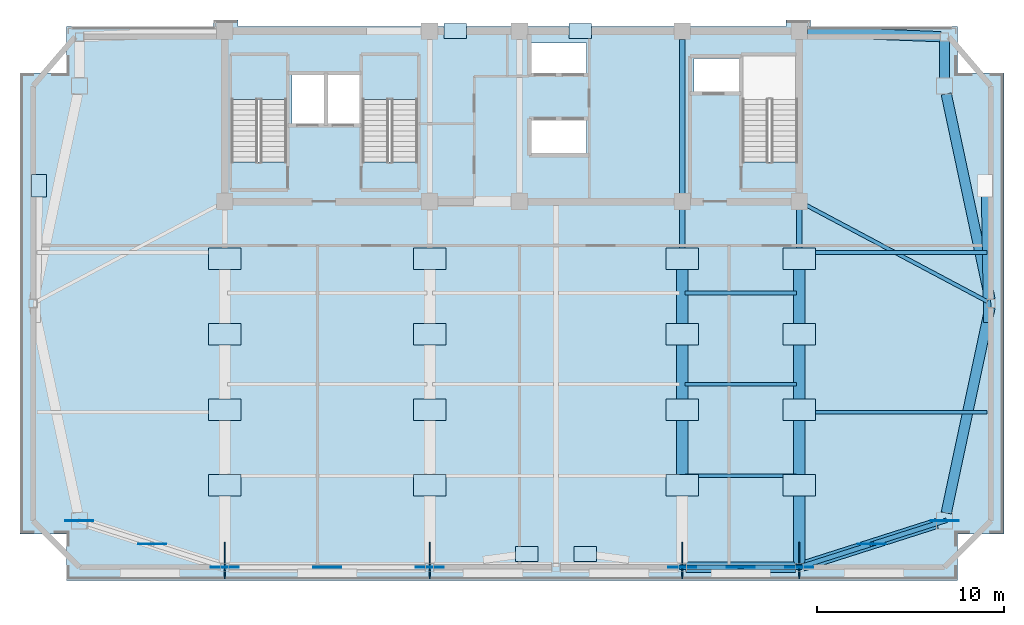
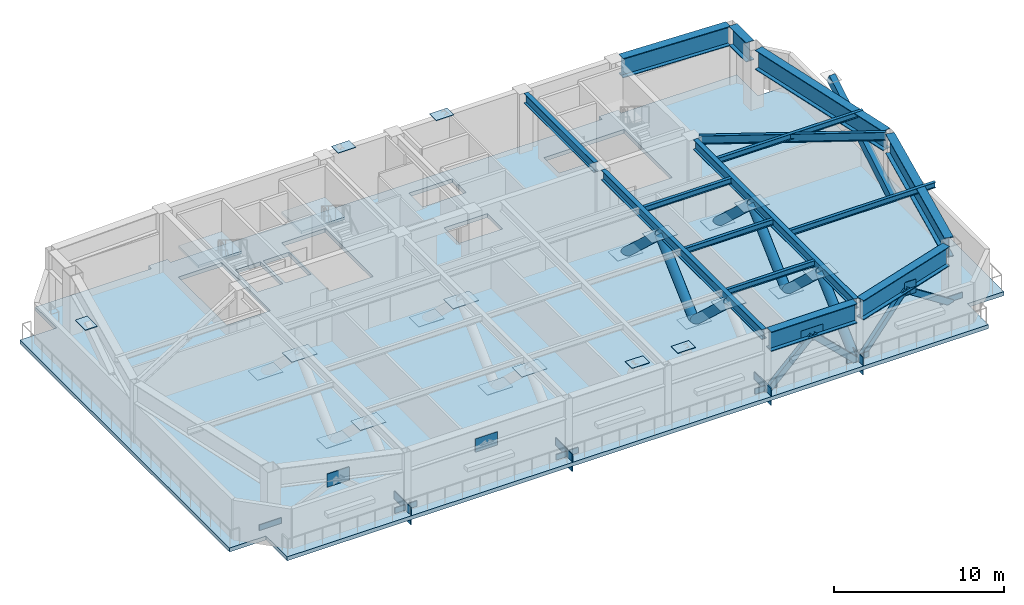
# One storey, part 2 of 8: 35 plates, 15 beams, 12 members, 3 slabs, 2 elements without a shape of their own.
"""IFC4 building model written with IfcOpenShell, lengths in metres."""

from ifc_helpers import new_model, si_unit, direction, frame, origin, origin_2d, place, context, subcontext, project, spatial, polyline, rectangle, hollow_rectangle, hollow_circle, i_section, outline, extrude, source, transform, mapped, material, layer, layer_set, material_profile, profile_set, type_object, element, aggregate, save


model = new_model("IFC4")

# Units and contexts
model_context = context("Model", 3, precision=1e-05, world=origin(), true_north=direction((0.0, 1.0)))
body_context = subcontext(model_context, "Body", "Model", "MODEL_VIEW")
ifc_project = project(units=[si_unit("LENGTHUNIT", "METRE"), si_unit("AREAUNIT", "SQUARE_METRE"), si_unit("VOLUMEUNIT", "CUBIC_METRE"), si_unit("PLANEANGLEUNIT", "RADIAN"), si_unit("MASSUNIT", "GRAM", prefix="KILO")], contexts=[model_context])

# Site, building, storey
site_placement = place(None, origin())
site = spatial("IfcSite", under=ifc_project, at=site_placement, CompositionType="ELEMENT")
building_placement = place(site_placement, origin())
building = spatial("IfcBuilding", under=site, at=building_placement, Name="Giltprow Tower", CompositionType="ELEMENT")
storey_placement = place(building_placement, frame((0.0, 0.0, 285.89990234375)))
storey = spatial("IfcBuildingStorey", under=building, at=storey_placement, Name="L73", CompositionType="ELEMENT", Elevation=285.89990234375)

# Beams
ifc_material_1 = material(Name="Structural steel Q355B", Category="steel")
ifc_material_profile_1 = material_profile(ifc_material_1, i_section(OverallWidth=0.199951171875, OverallDepth=0.39990234375, WebThickness=0.008056640625, FlangeThickness=0.012939453125, at=origin_2d()), Name="HN 400x200x8x13")
ifc_profile_set_1 = profile_set([ifc_material_profile_1], Name="Structural steel Q355B")
beam_type_1 = type_object("IfcBeamType", Name="BM-JOIST-HN400", PredefinedType="JOIST", material=ifc_profile_set_1)
shared_shape_1 = source(origin(), body_context, "Body", "SweptSolid", [
    extrude(i_section(OverallWidth=0.199951171875, OverallDepth=0.39990234375, WebThickness=0.008056640625, FlangeThickness=0.012939453125, at=origin_2d()), origin(), (0.0, 0.0, 1.0), 5.9599609375),
])
for number, where, z_axis, x_axis, name in (
    (1, (44.445068359375, 22.7939453125, 4.085205078125), (1.0, 0.0, 0.0), (0.0, 1.0, 0.0), "L73 Composite Floor Joist 1-4"),
    (2, (44.445068359375, 27.678955078125, 4.085205078125), (1.0, 0.0, 0.0), (0.0, 1.0, 0.0), "L73 Composite Floor Joist 2-4"),
    (3, (44.445068359375, 32.56494140625, 4.085205078125), (1.0, 0.0, 0.0), (0.0, 1.0, 0.0), "L73 Composite Floor Joist 3-4"),
):
    element("IfcBeam", number, at=place(storey_placement, frame(where, z_axis=z_axis, x_axis=x_axis)), inside=storey, type_object=beam_type_1, Name=name, PredefinedType="JOIST", context=body_context, shape_type="MappedRepresentation", body=[
        mapped(shared_shape_1, transform((0.0, 0.0, 0.0), x_axis=(1.0, 0.0, 0.0), y_axis=(0.0, 1.0, 0.0), z_axis=(0.0, 0.0, 1.0), scale=1.0)),
    ])
ifc_material_profile_2 = material_profile(ifc_material_1, i_section(OverallWidth=0.300048828125, OverallDepth=0.699951171875, WebThickness=0.012939453125, FlangeThickness=0.02392578125, at=origin_2d()), Name="HN 700x300x13x24")
ifc_profile_set_2 = profile_set([ifc_material_profile_2], Name="Structural steel Q355B")
beam_type_2 = type_object("IfcBeamType", Name="BM-GIRD-HN700", PredefinedType="BEAM", material=ifc_profile_set_2)
shared_shape_2 = source(origin(), body_context, "Body", "SweptSolid", [
    extrude(i_section(OverallWidth=0.300048828125, OverallDepth=0.699951171875, WebThickness=0.012939453125, FlangeThickness=0.02392578125, at=origin_2d()), origin(), (0.0, 0.0, 1.0), 8.22998046875),
])
beam_1_placement = place(storey_placement, frame((44.300048828125, 37.885009765625, 3.93505859375), z_axis=(0.0, 1.0, 0.0), x_axis=(-1.0, 0.0, 0.0)))
element("IfcBeam", 4, at=beam_1_placement, inside=storey, type_object=beam_type_2, Name="L73 Core Tie Girder M3", PredefinedType="BEAM", context=body_context, shape_type="MappedRepresentation", body=[
    mapped(shared_shape_2, transform((0.0, 0.0, 0.0), x_axis=(1.0, 0.0, 0.0), y_axis=(0.0, 1.0, 0.0), z_axis=(0.0, 0.0, 1.0), scale=1.0)),
])
shared_shape_3 = source(origin(), body_context, "Body", "SweptSolid", [
    extrude(i_section(OverallWidth=0.300048828125, OverallDepth=0.699951171875, WebThickness=0.012939453125, FlangeThickness=0.02392578125, at=origin_2d()), origin(), (0.0, 0.0, 1.0), 18.89697265625),
])
for number, where, z_axis, x_axis, name in (
    (5, (44.300048828125, 18.117919921875, 3.93505859375), (0.0, 1.0, 0.0), (-1.0, 0.0, 0.0), "L73 Primary Lease Girder S3"),
    (6, (50.550048828125, 18.117919921875, 3.93505859375), (0.0, 1.0, 0.0), (-1.0, 0.0, 0.0), "L73 Primary Lease Girder S4"),
):
    element("IfcBeam", number, at=place(storey_placement, frame(where, z_axis=z_axis, x_axis=x_axis)), inside=storey, type_object=beam_type_2, Name=name, PredefinedType="BEAM", context=body_context, shape_type="MappedRepresentation", body=[
        mapped(shared_shape_3, transform((0.0, 0.0, 0.0), x_axis=(1.0, 0.0, 0.0), y_axis=(0.0, 1.0, 0.0), z_axis=(0.0, 0.0, 1.0), scale=1.0)),
    ])
ifc_material_profile_3 = material_profile(ifc_material_1, i_section(OverallWidth=0.199951171875, OverallDepth=0.60009765625, WebThickness=0.010986328125, FlangeThickness=0.01708984375, at=origin_2d()), Name="HN 600x200x11x17")
ifc_profile_set_3 = profile_set([ifc_material_profile_3], Name="Structural steel Q355B")
beam_type_3 = type_object("IfcBeamType", Name="BM-GIRD-HN600", PredefinedType="BEAM", material=ifc_profile_set_3)
shared_shape_4 = source(origin(), body_context, "Body", "SweptSolid", [
    extrude(i_section(OverallWidth=0.199951171875, OverallDepth=0.60009765625, WebThickness=0.010986328125, FlangeThickness=0.01708984375, at=origin_2d()), origin(), (0.0, 0.0, 1.0), 10.954345703125),
])
beam_2_placement = place(storey_placement, frame((60.60595703125, 32.10302734375, 3.985107421875), z_axis=(-0.882930970852, 0.469502822899, 0.0), x_axis=(-0.469502822899, -0.882930970852, 0.0)))
element("IfcBeam", 7, at=beam_2_placement, inside=storey, type_object=beam_type_3, Name="L73 East Wing Primary Girder", PredefinedType="BEAM", context=body_context, shape_type="MappedRepresentation", body=[
    mapped(shared_shape_4, transform((0.0, 0.0, 0.0), x_axis=(1.0, 0.0, 0.0), y_axis=(0.0, 1.0, 0.0), z_axis=(0.0, 0.0, 1.0), scale=1.0)),
])
shared_shape_5 = source(origin(), body_context, "Body", "SweptSolid", [
    extrude(i_section(OverallWidth=0.199951171875, OverallDepth=0.39990234375, WebThickness=0.008056640625, FlangeThickness=0.012939453125, at=origin_2d()), origin(), (0.0, 0.0, 1.0), 9.8759765625),
])
for number, where, z_axis, x_axis, name in (
    (8, (50.695068359375, 26.194091796875, 4.085205078125), (1.0, 0.0, 0.0), (0.0, 1.0, 0.0), "L73 East Wing Floor Joist 1"),
    (9, (50.695068359375, 34.72705078125, 4.085205078125), (1.0, 0.0, 0.0), (0.0, 1.0, 0.0), "L73 East Wing Floor Joist 2"),
):
    element("IfcBeam", number, at=place(storey_placement, frame(where, z_axis=z_axis, x_axis=x_axis)), inside=storey, type_object=beam_type_1, Name=name, PredefinedType="JOIST", context=body_context, shape_type="MappedRepresentation", body=[
        mapped(shared_shape_5, transform((0.0, 0.0, 0.0), x_axis=(1.0, 0.0, 0.0), y_axis=(0.0, 1.0, 0.0), z_axis=(0.0, 0.0, 1.0), scale=1.0)),
    ])
ifc_material_2 = material(Name="Structural steel Q420GJC", Category="steel")
ifc_material_profile_4 = material_profile(ifc_material_2, i_section(OverallWidth=0.550048828125, OverallDepth=1.39990234375, WebThickness=0.031982421875, FlangeThickness=0.050048828125, at=origin_2d()), Name="WH 1400x550x32x50")
ifc_profile_set_4 = profile_set([ifc_material_profile_4], Name="Structural steel Q420GJC")
beam_type_4 = type_object("IfcBeamType", Name="BM-XFER-WH1400", PredefinedType="BEAM", material=ifc_profile_set_4)
shared_shape_6 = source(origin(), body_context, "Body", "SweptSolid", [
    extrude(i_section(OverallWidth=0.550048828125, OverallDepth=1.39990234375, WebThickness=0.031982421875, FlangeThickness=0.050048828125, at=origin_2d()), origin(), (0.0, 0.0, 1.0), 7.5048828125),
])
beam_3_placement = place(storey_placement, frame((50.75, 17.971923828125, 3.585205078125), z_axis=(0.952693085845, 0.303934012875, 0.0), x_axis=(-0.303934012875, 0.952693085845, 0.0)))
element("IfcBeam", 10, at=beam_3_placement, inside=storey, type_object=beam_type_4, Name="L73 Perimeter Spandrel Beam S4-MC_SE", PredefinedType="BEAM", context=body_context, shape_type="MappedRepresentation", body=[
    mapped(shared_shape_6, transform((0.0, 0.0, 0.0), x_axis=(1.0, 0.0, 0.0), y_axis=(0.0, 1.0, 0.0), z_axis=(0.0, 0.0, 1.0), scale=1.0)),
])
shared_shape_7 = source(origin(), body_context, "Body", "SweptSolid", [
    extrude(i_section(OverallWidth=0.550048828125, OverallDepth=1.39990234375, WebThickness=0.031982421875, FlangeThickness=0.050048828125, at=origin_2d()), origin(), (0.0, 0.0, 1.0), 5.830078125),
])
beam_4_placement = place(storey_placement, frame((44.510009765625, 17.907958984375, 3.585205078125), z_axis=(1.0, 0.0, 0.0), x_axis=(0.0, 1.0, 0.0)))
element("IfcBeam", 11, at=beam_4_placement, inside=storey, type_object=beam_type_4, Name="L73 Perimeter Spandrel Beam S3-S4", PredefinedType="BEAM", context=body_context, shape_type="MappedRepresentation", body=[
    mapped(shared_shape_7, transform((0.0, 0.0, 0.0), x_axis=(1.0, 0.0, 0.0), y_axis=(0.0, 1.0, 0.0), z_axis=(0.0, 0.0, 1.0), scale=1.0)),
])
shared_shape_8 = source(origin(), body_context, "Body", "SweptSolid", [
    extrude(i_section(OverallWidth=0.550048828125, OverallDepth=1.39990234375, WebThickness=0.031982421875, FlangeThickness=0.050048828125, at=origin_2d()), origin(), (0.0, 0.0, 1.0), 11.23583984375),
])
beam_5_placement = place(storey_placement, frame((58.405029296875, 20.81005859375, 3.585205078125), z_axis=(0.208444216546, 0.97803425737, 0.0), x_axis=(-0.97803425737, 0.208444216546, 0.0)))
element("IfcBeam", 12, at=beam_5_placement, inside=storey, type_object=beam_type_4, Name="L73 Perimeter Spandrel Beam MC_SE-E_MID", PredefinedType="BEAM", context=body_context, shape_type="MappedRepresentation", body=[
    mapped(shared_shape_8, transform((0.0, 0.0, 0.0), x_axis=(1.0, 0.0, 0.0), y_axis=(0.0, 1.0, 0.0), z_axis=(0.0, 0.0, 1.0), scale=1.0)),
])
shared_shape_9 = source(origin(), body_context, "Body", "SweptSolid", [
    extrude(i_section(OverallWidth=0.550048828125, OverallDepth=1.39990234375, WebThickness=0.031982421875, FlangeThickness=0.050048828125, at=origin_2d()), origin(), (0.0, 0.0, 1.0), 11.23486328125),
])
beam_6_placement = place(storey_placement, frame((60.7470703125, 32.208984375, 3.585205078125), z_axis=(-0.208461937022, 0.978030480513, 0.0), x_axis=(-0.978030480513, -0.208461937022, 0.0)))
element("IfcBeam", 13, at=beam_6_placement, inside=storey, type_object=beam_type_4, Name="L73 Perimeter Spandrel Beam E_MID-MC_NE", PredefinedType="BEAM", context=body_context, shape_type="MappedRepresentation", body=[
    mapped(shared_shape_9, transform((0.0, 0.0, 0.0), x_axis=(1.0, 0.0, 0.0), y_axis=(0.0, 1.0, 0.0), z_axis=(0.0, 0.0, 1.0), scale=1.0)),
])
shared_shape_10 = source(origin(), body_context, "Body", "SweptSolid", [
    extrude(i_section(OverallWidth=0.550048828125, OverallDepth=1.39990234375, WebThickness=0.031982421875, FlangeThickness=0.050048828125, at=origin_2d()), origin(), (0.0, 0.0, 1.0), 1.983154296875),
])
beam_7_placement = place(storey_placement, frame((58.31396484375, 44.056884765625, 3.585205078125), z_axis=(0.0, 1.0, 0.0), x_axis=(-1.0, 0.0, 0.0)))
element("IfcBeam", 14, at=beam_7_placement, inside=storey, type_object=beam_type_4, Name="L73 Perimeter Spandrel Beam MC_NE-N_E", PredefinedType="BEAM", context=body_context, shape_type="MappedRepresentation", body=[
    mapped(shared_shape_10, transform((0.0, 0.0, 0.0), x_axis=(1.0, 0.0, 0.0), y_axis=(0.0, 1.0, 0.0), z_axis=(0.0, 0.0, 1.0), scale=1.0)),
])
shared_shape_11 = source(origin(), body_context, "Body", "SweptSolid", [
    extrude(i_section(OverallWidth=0.550048828125, OverallDepth=1.39990234375, WebThickness=0.031982421875, FlangeThickness=0.050048828125, at=origin_2d()), origin(), (0.0, 0.0, 1.0), 7.124267578125),
])
beam_8_placement = place(storey_placement, frame((50.985107421875, 46.532958984375, 3.585205078125), z_axis=(0.999255240323, -0.038587105203, 0.0), x_axis=(0.038587105203, 0.999255240323, 0.0)))
element("IfcBeam", 15, at=beam_8_placement, inside=storey, type_object=beam_type_4, Name="L73 North Wing Spandrel E", PredefinedType="BEAM", context=body_context, shape_type="MappedRepresentation", body=[
    mapped(shared_shape_11, transform((0.0, 0.0, 0.0), x_axis=(1.0, 0.0, 0.0), y_axis=(0.0, 1.0, 0.0), z_axis=(0.0, 0.0, 1.0), scale=1.0)),
])

# Members
ifc_material_profile_5 = material_profile(ifc_material_2, hollow_circle(Radius=0.304931640625, WallThickness=0.028076171875, at=origin_2d()), Name="CHS 610x28")
ifc_profile_set_5 = profile_set([ifc_material_profile_5], Name="Structural steel Q420GJC")
member_type_1 = type_object("IfcMemberType", Name="MBR-OUTR-CHS610", PredefinedType="BRACE", material=ifc_profile_set_5)
shared_shape_12 = source(origin(), body_context, "Body", "SweptSolid", [
    extrude(hollow_circle(Radius=0.304931640625, WallThickness=0.028076171875, at=origin_2d()), origin(), (0.0, 0.0, 1.0), 5.5048828125),
])
for number, where, z_axis, x_axis, name in (
    (16, (44.300048828125, 26.3291015625, -0.079833984375), (0.0, 0.732959323738, 0.680272467285), (-1.0, 0.0, 0.0), "L73 Outrigger Truss Diagonal S3-3"),
    (17, (50.550048828125, 18.258056640625, -0.079833984375), (0.0, 0.732959323738, 0.680272467285), (-1.0, 0.0, 0.0), "L73 Outrigger Truss Diagonal S4-1"),
    (18, (50.550048828125, 26.3291015625, -0.079833984375), (0.0, 0.732959323738, 0.680272467285), (-1.0, 0.0, 0.0), "L73 Outrigger Truss Diagonal S4-3"),
):
    element("IfcMember", number, at=place(storey_placement, frame(where, z_axis=z_axis, x_axis=x_axis)), inside=storey, type_object=member_type_1, Name=name, PredefinedType="BRACE", context=body_context, shape_type="MappedRepresentation", body=[
        mapped(shared_shape_12, transform((0.0, 0.0, 0.0), x_axis=(1.0, 0.0, 0.0), y_axis=(0.0, 1.0, 0.0), z_axis=(0.0, 0.0, 1.0), scale=1.0)),
    ])
shared_shape_13 = source(origin(), body_context, "Body", "SweptSolid", [
    extrude(hollow_circle(Radius=0.304931640625, WallThickness=0.028076171875, at=origin_2d()), origin(), (0.0, 0.0, 1.0), 5.505859375),
])
for number, where, z_axis, x_axis, name in (
    (19, (44.300048828125, 22.29296875, 3.6650390625), (0.0, 0.733061916274, -0.680161912275), (-1.0, 0.0, 0.0), "L73 Outrigger Truss Diagonal S3-2"),
    (20, (50.550048828125, 22.29296875, 3.6650390625), (0.0, 0.733061916274, -0.680161912275), (-1.0, 0.0, 0.0), "L73 Outrigger Truss Diagonal S4-2"),
):
    element("IfcMember", number, at=place(storey_placement, frame(where, z_axis=z_axis, x_axis=x_axis)), inside=storey, type_object=member_type_1, Name=name, PredefinedType="BRACE", context=body_context, shape_type="MappedRepresentation", body=[
        mapped(shared_shape_13, transform((0.0, 0.0, 0.0), x_axis=(1.0, 0.0, 0.0), y_axis=(0.0, 1.0, 0.0), z_axis=(0.0, 0.0, 1.0), scale=1.0)),
    ])
shared_shape_14 = source(origin(), body_context, "Body", "SweptSolid", [
    extrude(hollow_circle(Radius=0.304931640625, WallThickness=0.028076171875, at=origin_2d()), origin(), (0.0, 0.0, 1.0), 5.505615234375),
])
for number, where, z_axis, x_axis, name in (
    (21, (44.300048828125, 30.364013671875, 3.6650390625), (0.0, 0.733041401768, -0.68018402164), (-1.0, 0.0, 0.0), "L73 Outrigger Truss Diagonal S3-4"),
    (22, (50.550048828125, 30.364013671875, 3.6650390625), (0.0, 0.733041401768, -0.68018402164), (-1.0, 0.0, 0.0), "L73 Outrigger Truss Diagonal S4-4"),
):
    element("IfcMember", number, at=place(storey_placement, frame(where, z_axis=z_axis, x_axis=x_axis)), inside=storey, type_object=member_type_1, Name=name, PredefinedType="BRACE", context=body_context, shape_type="MappedRepresentation", body=[
        mapped(shared_shape_14, transform((0.0, 0.0, 0.0), x_axis=(1.0, 0.0, 0.0), y_axis=(0.0, 1.0, 0.0), z_axis=(0.0, 0.0, 1.0), scale=1.0)),
    ])
ifc_material_profile_6 = material_profile(ifc_material_2, hollow_rectangle(XDim=0.25, YDim=0.39990234375, WallThickness=0.01806640625, at=origin_2d()), Name="RHS 400x250x18")
ifc_profile_set_6 = profile_set([ifc_material_profile_6], Name="Structural steel Q420GJC")
member_type_2 = type_object("IfcMemberType", Name="MBR-BELT-RHS400", PredefinedType="CHORD", material=ifc_profile_set_6)
shared_shape_15 = source(origin(), body_context, "Body", "SweptSolid", [
    extrude(hollow_rectangle(XDim=0.25, YDim=0.39990234375, WallThickness=0.01806640625, at=origin_2d()), origin(), (0.0, 0.0, 1.0), 5.086669921875),
])
for number, where, z_axis, x_axis, name in (
    (23, (50.550048828125, 17.907958984375, -0.079833984375), (0.763122086795, 0.243575131477, 0.598594884686), (-0.304069097332, 0.952649979818, 0.0), "L73 Belt-Truss Diagonal 4-1"),
    (24, (58.31396484375, 20.385009765625, -0.079833984375), (-0.763177802202, -0.243385613167, 0.598600940134), (0.303834226849, -0.95272491444, 0.0), "L73 Belt-Truss Diagonal 4-2"),
):
    element("IfcMember", number, at=place(storey_placement, frame(where, z_axis=z_axis, x_axis=x_axis)), inside=storey, type_object=member_type_2, Name=name, PredefinedType="CHORD", context=body_context, shape_type="MappedRepresentation", body=[
        mapped(shared_shape_15, transform((0.0, 0.0, 0.0), x_axis=(1.0, 0.0, 0.0), y_axis=(0.0, 1.0, 0.0), z_axis=(0.0, 0.0, 1.0), scale=1.0)),
    ])
shared_shape_16 = source(origin(), body_context, "Body", "SweptSolid", [
    extrude(hollow_rectangle(XDim=0.25, YDim=0.39990234375, WallThickness=0.01806640625, at=origin_2d()), origin(), (0.0, 0.0, 1.0), 4.36328125),
])
for number, where, z_axis, x_axis, name in (
    (25, (44.300048828125, 17.907958984375, -0.079833984375), (0.716223851083, 0.0, 0.697870614899), (0.0, 1.0, 0.0), "L73 Belt-Truss Diagonal 3-1"),
    (26, (50.550048828125, 17.907958984375, -0.079833984375), (-0.716223851083, 0.0, 0.697870614899), (0.0, -1.0, 0.0), "L73 Belt-Truss Diagonal 3-2"),
):
    element("IfcMember", number, at=place(storey_placement, frame(where, z_axis=z_axis, x_axis=x_axis)), inside=storey, type_object=member_type_2, Name=name, PredefinedType="CHORD", context=body_context, shape_type="MappedRepresentation", body=[
        mapped(shared_shape_16, transform((0.0, 0.0, 0.0), x_axis=(1.0, 0.0, 0.0), y_axis=(0.0, 1.0, 0.0), z_axis=(0.0, 0.0, 1.0), scale=1.0)),
    ])
ifc_material_profile_7 = material_profile(ifc_material_2, hollow_rectangle(XDim=0.39990234375, YDim=0.60009765625, WallThickness=0.028076171875, at=origin_2d()), Name="RHS 600x400x28")
ifc_profile_set_7 = profile_set([ifc_material_profile_7], Name="Structural steel Q420GJC")
member_type_3 = type_object("IfcMemberType", Name="MBR-MEGA-RHS600", PredefinedType="BRACE", material=ifc_profile_set_7)
shared_shape_17 = source(origin(), body_context, "Body", "SweptSolid", [
    extrude(hollow_rectangle(XDim=0.39990234375, YDim=0.60009765625, WallThickness=0.028076171875, at=origin_2d()), origin(), (0.0, 0.0, 1.0), 8.430419921875),
])
member_placement = place(storey_placement, frame((60.59912109375, 31.156005859375, 0.0), z_axis=(-0.015087724257, 0.845491741642, 0.533775304218), x_axis=(-0.999840817605, -0.017842069666, 0.0)))
element("IfcMember", 27, at=member_placement, inside=storey, type_object=member_type_3, Name="L73 Chevron Mega-Brace E-D", PredefinedType="BRACE", context=body_context, shape_type="MappedRepresentation", body=[
    mapped(shared_shape_17, transform((0.0, 0.0, 0.0), x_axis=(1.0, 0.0, 0.0), y_axis=(0.0, 1.0, 0.0), z_axis=(0.0, 0.0, 1.0), scale=1.0)),
])

# Slab
ifc_material_3 = material(Name="Concrete C40", Category="concrete")
ifc_layer_1 = layer(ifc_material_3, 0.280029296875, Name="Concrete C40")
ifc_layer_set_1 = layer_set([ifc_layer_1], Name="Concrete C40")
slab_type_1 = type_object("IfcSlabType", Name="SLB-REF-280", PredefinedType="FLOOR", material=ifc_layer_set_1)
slab_1_placement = place(storey_placement, frame((0.0, 0.0, -0.27978515625)))
element("IfcSlab", 28, at=slab_1_placement, inside=storey, type_object=slab_type_1, Name="L73 Structural Composite Floor Slab", PredefinedType="FLOOR", context=body_context, shape_type="SweptSolid", body=[
    extrude(outline(polyline([(61.490966796875, 44.322021484375), (61.490966796875, 19.68505859375), (59.013916015625, 19.68505859375), (59.013916015625, 17.2080078125), (11.385986328125, 17.2080078125), (11.385986328125, 19.68505859375), (8.908935546875, 19.68505859375), (8.908935546875, 44.322021484375), (11.385986328125, 44.322021484375), (11.385986328125, 46.799072265625), (19.25, 46.799072265625), (19.25, 47.14990234375), (20.550048828125, 47.14990234375), (20.550048828125, 46.799072265625), (49.85009765625, 46.799072265625), (49.85009765625, 47.14990234375), (51.14990234375, 47.14990234375), (51.14990234375, 46.799072265625), (59.013916015625, 46.799072265625), (59.013916015625, 44.322021484375), (61.490966796875, 44.322021484375)]), holes=[polyline([(39.18994140625, 41.800048828125), (36.239990234375, 41.800048828125), (36.239990234375, 40.0), (39.18994140625, 40.0), (39.18994140625, 41.800048828125)]), polyline([(23.159912109375, 45.25), (20.199951171875, 45.25), (20.199951171875, 39.570068359375), (23.159912109375, 39.570068359375), (23.159912109375, 45.25)]), polyline([(30.159912109375, 45.25), (27.199951171875, 45.25), (27.199951171875, 39.570068359375), (30.159912109375, 39.570068359375), (30.159912109375, 45.25)]), polyline([(50.4599609375, 45.25), (47.5, 45.25), (47.5, 39.570068359375), (50.4599609375, 39.570068359375), (50.4599609375, 45.25)]), polyline([(25.169921875, 44.199951171875), (23.449951171875, 44.199951171875), (23.449951171875, 41.60009765625), (25.169921875, 41.60009765625), (25.169921875, 44.199951171875)]), polyline([(27.10009765625, 44.199951171875), (25.35009765625, 44.199951171875), (25.35009765625, 41.60009765625), (27.10009765625, 41.60009765625), (27.10009765625, 44.199951171875)]), polyline([(47.3798828125, 45.10009765625), (44.919921875, 45.10009765625), (44.919921875, 43.300048828125), (47.3798828125, 43.300048828125), (47.3798828125, 45.10009765625)]), polyline([(39.18994140625, 45.919921875), (36.239990234375, 45.919921875), (36.239990234375, 44.300048828125), (39.18994140625, 44.300048828125), (39.18994140625, 45.919921875)])]), origin(), (0.0, 0.0, 1.0), 0.27978515625),
])

# Stair, slab
stair_type_1 = type_object("IfcStairType", Name="STR-ST-1", PredefinedType="HALF_TURN_STAIR", material=ifc_material_3)
stair_1_placement = place(storey_placement, origin())
stair_1 = element("IfcStair", 29, at=stair_1_placement, inside=storey, type_object=stair_type_1, Name="L73 Core Exit Stair ST-1", PredefinedType="HALF_TURN_STAIR")
ifc_layer_2 = layer(ifc_material_3, 0.179931640625, Name="Concrete C40")
ifc_layer_set_2 = layer_set([ifc_layer_2], Name="Concrete C40")
slab_type_2 = type_object("IfcSlabType", Name="SLD-ST-1", PredefinedType="LANDING", material=ifc_layer_set_2)
slab_2_placement = place(storey_placement, frame((0.0, 0.0, 2.070068359375)))
slab_2 = element("IfcSlab", 30, at=slab_2_placement, type_object=slab_type_2, Name="ST-1 landing 1", PredefinedType="LANDING", context=body_context, shape_type="SweptSolid", body=[
    extrude(outline(polyline([(23.159912109375, 42.909912109375), (23.159912109375, 45.25), (20.199951171875, 45.25), (20.199951171875, 42.909912109375), (23.159912109375, 42.909912109375)])), origin(), (0.0, 0.0, 1.0), 0.179931640625),
])
aggregate(stair_1, [slab_2])

stair_type_2 = type_object("IfcStairType", Name="STR-ST-2", PredefinedType="HALF_TURN_STAIR", material=ifc_material_3)
stair_2_placement = place(storey_placement, origin())
stair_2 = element("IfcStair", 31, at=stair_2_placement, inside=storey, type_object=stair_type_2, Name="L73 Core Exit Stair ST-2", PredefinedType="HALF_TURN_STAIR")
ifc_layer_3 = layer(ifc_material_3, 0.18798828125, Name="Concrete C40")
ifc_layer_set_3 = layer_set([ifc_layer_3], Name="Concrete C40")
slab_type_3 = type_object("IfcSlabType", Name="SLD-ST-2", PredefinedType="LANDING", material=ifc_layer_set_3)
slab_3_placement = place(storey_placement, frame((0.0, 0.0, 2.06201171875)))
slab_3 = element("IfcSlab", 32, at=slab_3_placement, type_object=slab_type_3, Name="ST-2 landing 1", PredefinedType="LANDING", context=body_context, shape_type="SweptSolid", body=[
    extrude(outline(polyline([(30.159912109375, 42.909912109375), (30.159912109375, 45.25), (27.199951171875, 45.25), (27.199951171875, 42.909912109375), (30.159912109375, 42.909912109375)])), origin(), (0.0, 0.0, 1.0), 0.18798828125),
])
aggregate(stair_2, [slab_3])

# Plates
plate_type_1 = type_object("IfcPlateType", Name="PLT-CAP-SEAL-INT", PredefinedType="USERDEFINED", material=ifc_material_2)
shared_shape_18 = source(origin(), body_context, "Body", "SweptSolid", [
    extrude(rectangle(XDim=1.75, YDim=1.14990234375, at=origin_2d()), origin(), (0.0, 0.0, 1.0), 0.0400390625),
])
for number, where, z_axis, x_axis, name in (
    (33, (19.85009765625, 22.29296875, 3.64501953125), (0.0, 0.0, 1.0), (1.0, 0.0, 0.0), "Outrigger Seal Plate L73-S1-1B"),
    (34, (19.85009765625, 26.3291015625, -0.099853515625), (0.0, 0.0, 1.0), (1.0, 0.0, 0.0), "Outrigger Seal Plate L73-S1-2B"),
    (35, (19.85009765625, 30.364013671875, 3.64501953125), (0.0, 0.0, 1.0), (1.0, 0.0, 0.0), "Outrigger Seal Plate L73-S1-3B"),
    (36, (19.85009765625, 34.39990234375, -0.099853515625), (0.0, 0.0, 1.0), (1.0, 0.0, 0.0), "Outrigger Seal Plate L73-S1-4B"),
    (37, (30.800048828125, 22.29296875, 3.64501953125), (0.0, 0.0, 1.0), (1.0, 0.0, 0.0), "Outrigger Seal Plate L73-S2-1B"),
    (38, (30.800048828125, 26.3291015625, -0.099853515625), (0.0, 0.0, 1.0), (1.0, 0.0, 0.0), "Outrigger Seal Plate L73-S2-2B"),
    (39, (30.800048828125, 30.364013671875, 3.64501953125), (0.0, 0.0, 1.0), (1.0, 0.0, 0.0), "Outrigger Seal Plate L73-S2-3B"),
    (40, (30.800048828125, 34.39990234375, -0.099853515625), (0.0, 0.0, 1.0), (1.0, 0.0, 0.0), "Outrigger Seal Plate L73-S2-4B"),
    (41, (44.300048828125, 22.29296875, 3.64501953125), (0.0, 0.0, 1.0), (1.0, 0.0, 0.0), "Outrigger Seal Plate L73-S3-1B"),
    (42, (44.300048828125, 26.3291015625, -0.099853515625), (0.0, 0.0, 1.0), (1.0, 0.0, 0.0), "Outrigger Seal Plate L73-S3-2B"),
    (43, (44.300048828125, 30.364013671875, 3.64501953125), (0.0, 0.0, 1.0), (1.0, 0.0, 0.0), "Outrigger Seal Plate L73-S3-3B"),
    (44, (44.300048828125, 34.39990234375, -0.099853515625), (0.0, 0.0, 1.0), (1.0, 0.0, 0.0), "Outrigger Seal Plate L73-S3-4B"),
    (45, (50.550048828125, 22.29296875, 3.64501953125), (0.0, 0.0, 1.0), (1.0, 0.0, 0.0), "Outrigger Seal Plate L73-S4-1B"),
    (46, (50.550048828125, 26.3291015625, -0.099853515625), (0.0, 0.0, 1.0), (1.0, 0.0, 0.0), "Outrigger Seal Plate L73-S4-2B"),
    (47, (50.550048828125, 30.364013671875, 3.64501953125), (0.0, 0.0, 1.0), (1.0, 0.0, 0.0), "Outrigger Seal Plate L73-S4-3B"),
    (48, (50.550048828125, 34.39990234375, -0.099853515625), (0.0, 0.0, 1.0), (1.0, 0.0, 0.0), "Outrigger Seal Plate L73-S4-4B"),
):
    element("IfcPlate", number, at=place(storey_placement, frame(where, z_axis=z_axis, x_axis=x_axis)), inside=storey, type_object=plate_type_1, Name=name, ObjectType="SPLICE", PredefinedType="USERDEFINED", context=body_context, shape_type="MappedRepresentation", body=[
        mapped(shared_shape_18, transform((0.0, 0.0, 0.0), x_axis=(1.0, 0.0, 0.0), y_axis=(0.0, 1.0, 0.0), z_axis=(0.0, 0.0, 1.0), scale=1.0)),
    ])
plate_type_2 = type_object("IfcPlateType", Name="PLT-NODE-OTN1", PredefinedType="USERDEFINED", material=ifc_material_2)
shared_shape_19 = source(origin(), body_context, "Body", "SweptSolid", [
    extrude(rectangle(XDim=1.949951171875, YDim=0.054931640625, at=origin_2d()), origin(), (0.0, 0.0, 1.0), 1.25),
])
for number, where, z_axis, x_axis, name in (
    (49, (19.85009765625, 18.258056640625, -0.704833984375), (0.0, 0.0, 1.0), (0.0, 1.0, 0.0), "OTN1 Outrigger Node L73-S1-1A"),
    (50, (30.800048828125, 18.258056640625, -0.704833984375), (0.0, 0.0, 1.0), (0.0, 1.0, 0.0), "OTN1 Outrigger Node L73-S2-1A"),
    (51, (44.300048828125, 18.258056640625, -0.704833984375), (0.0, 0.0, 1.0), (0.0, 1.0, 0.0), "OTN1 Outrigger Node L73-S3-1A"),
    (52, (50.550048828125, 18.258056640625, -0.704833984375), (0.0, 0.0, 1.0), (0.0, 1.0, 0.0), "OTN1 Outrigger Node L73-S4-1A"),
):
    element("IfcPlate", number, at=place(storey_placement, frame(where, z_axis=z_axis, x_axis=x_axis)), inside=storey, type_object=plate_type_2, Name=name, ObjectType="GUSSET", PredefinedType="USERDEFINED", context=body_context, shape_type="MappedRepresentation", body=[
        mapped(shared_shape_19, transform((0.0, 0.0, 0.0), x_axis=(1.0, 0.0, 0.0), y_axis=(0.0, 1.0, 0.0), z_axis=(0.0, 0.0, 1.0), scale=1.0)),
    ])
plate_type_3 = type_object("IfcPlateType", Name="PLT-NODE-BTN1", PredefinedType="USERDEFINED", material=ifc_material_2)
shared_shape_20 = source(origin(), body_context, "Body", "SweptSolid", [
    extrude(rectangle(XDim=1.5, YDim=0.0400390625, at=origin_2d()), origin(), (0.0, 0.0, 1.0), 0.949951171875),
])
for number, where, z_axis, x_axis, name in (
    (53, (12.0859375, 20.385009765625, -0.5546875), (0.0, 0.0, 1.0), (1.0, 0.0, 0.0), "BTN1 Belt Node L73-1-1A"),
    (54, (15.968017578125, 19.14697265625, 2.490234375), (0.0, 0.0, 1.0), (1.0, 0.0, 0.0), "BTN1 Belt Apex L73-1-1B"),
    (55, (19.85009765625, 17.907958984375, -0.5546875), (0.0, 0.0, 1.0), (1.0, 0.0, 0.0), "BTN1 Belt Node L73-1-2A"),
    (56, (25.324951171875, 17.907958984375, 2.490234375), (0.0, 0.0, 1.0), (1.0, 0.0, 0.0), "BTN1 Belt Apex L73-2-1B"),
    (57, (30.800048828125, 17.907958984375, -0.5546875), (0.0, 0.0, 1.0), (1.0, 0.0, 0.0), "BTN1 Belt Node L73-2-2A"),
    (58, (44.300048828125, 17.907958984375, -0.5546875), (0.0, 0.0, 1.0), (1.0, 0.0, 0.0), "BTN1 Belt Node L73-3-1A"),
    (59, (47.425048828125, 17.907958984375, 2.490234375), (0.0, 0.0, 1.0), (1.0, 0.0, 0.0), "BTN1 Belt Apex L73-3-1B"),
    (60, (50.550048828125, 17.907958984375, -0.5546875), (0.0, 0.0, 1.0), (1.0, 0.0, 0.0), "BTN1 Belt Node L73-3-2A"),
    (61, (54.431884765625, 19.14697265625, 2.490234375), (0.0, 0.0, 1.0), (1.0, 0.0, 0.0), "BTN1 Belt Apex L73-4-1B"),
    (62, (58.31396484375, 20.385009765625, -0.5546875), (0.0, 0.0, 1.0), (1.0, 0.0, 0.0), "BTN1 Belt Node L73-4-2A"),
):
    element("IfcPlate", number, at=place(storey_placement, frame(where, z_axis=z_axis, x_axis=x_axis)), inside=storey, type_object=plate_type_3, Name=name, ObjectType="SPLICE", PredefinedType="USERDEFINED", context=body_context, shape_type="MappedRepresentation", body=[
        mapped(shared_shape_20, transform((0.0, 0.0, 0.0), x_axis=(1.0, 0.0, 0.0), y_axis=(0.0, 1.0, 0.0), z_axis=(0.0, 0.0, 1.0), scale=1.0)),
    ])
plate_type_4 = type_object("IfcPlateType", Name="PLT-CAP-SEAL", PredefinedType="USERDEFINED", material=ifc_material_2)
shared_shape_21 = source(origin(), body_context, "Body", "SweptSolid", [
    extrude(rectangle(XDim=1.199951171875, YDim=0.800048828125, at=origin_2d()), origin(), (0.0, 0.0, 1.0), 0.034912109375),
])
for number, where, z_axis, x_axis, name in (
    (63, (35.989013671875, 18.625, 4.482421875), (0.0, 0.0, 1.0), (1.0, 0.0, 0.0), "Mega-Brace Node L73-S-LB"),
    (64, (39.111083984375, 18.625, 4.482421875), (0.0, 0.0, 1.0), (1.0, 0.0, 0.0), "Mega-Brace Node L73-S-RB"),
    (65, (32.177001953125, 46.550048828125, 4.3427734375), (0.0, 0.0, 1.0), (1.0, 0.0, 0.0), "Mega-Brace Node L73-N-LB"),
    (66, (38.837890625, 46.550048828125, 4.3427734375), (0.0, 0.0, 1.0), (1.0, 0.0, 0.0), "Mega-Brace Node L73-N-RB"),
    (67, (9.927978515625, 38.283935546875, 4.482421875), (0.0, 0.0, 1.0), (0.0, 1.0, 0.0), "Mega-Brace Node L73-W-DB"),
):
    element("IfcPlate", number, at=place(storey_placement, frame(where, z_axis=z_axis, x_axis=x_axis)), inside=storey, type_object=plate_type_4, Name=name, ObjectType="SPLICE", PredefinedType="USERDEFINED", context=body_context, shape_type="MappedRepresentation", body=[
        mapped(shared_shape_21, transform((0.0, 0.0, 0.0), x_axis=(1.0, 0.0, 0.0), y_axis=(0.0, 1.0, 0.0), z_axis=(0.0, 0.0, 1.0), scale=1.0)),
    ])

save(model, "model.ifc")
